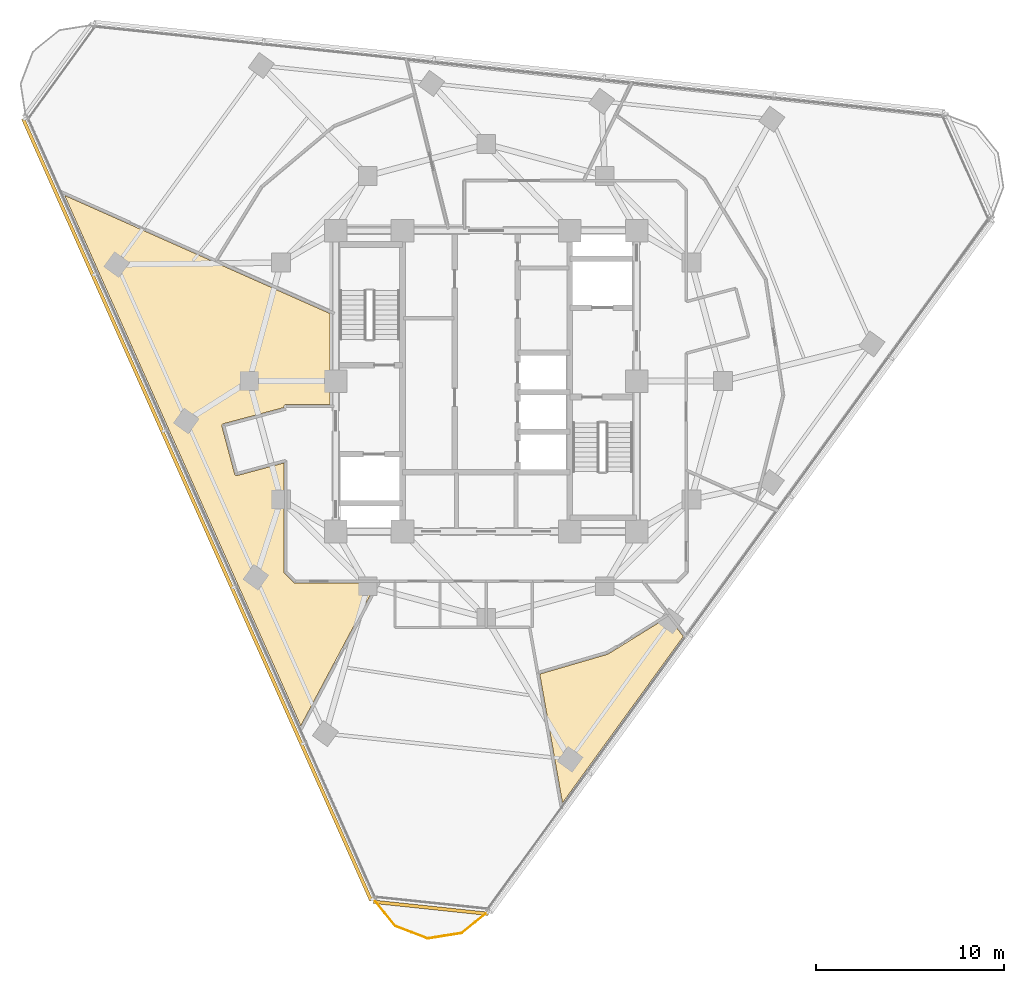
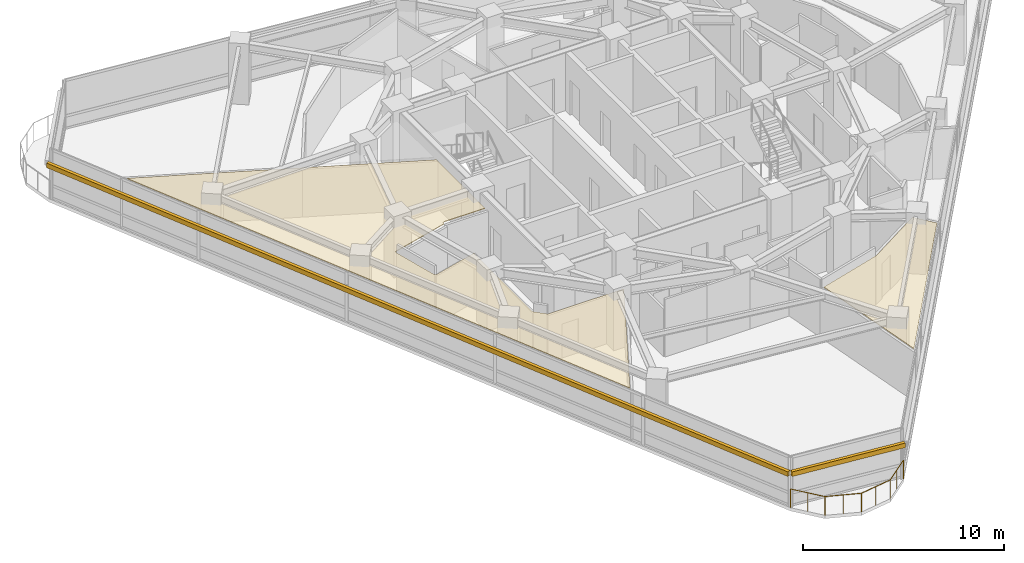
# One storey, part 12 of 15: 2 coverings, 2 shading devices, 1 railing.
"""IFC4 building model written with IfcOpenShell, lengths in metres."""

import ifcopenshell
import ifcopenshell.guid

model = None  # the IFC model being written
_history = None  # IfcOwnerHistory: only IFC2X3 demands one
_inside = {}  # id of a spatial element -> (the spatial element, [elements in it])
_under = {}  # id of a project, library or spatial element -> (it, [spatial elements below it])
_declared = {}  # id of a project -> (the project, [libraries it declares])
_typed = {}  # id of a type object -> (the type object, [elements of that type])
_made_of = {}  # id of a material, layer set ... -> (it, [elements and type objects made of it])


def new_model(schema):
    """Start an empty IFC model of exactly this schema.

    Asked for "IFC4X3", IfcOpenShell would pick the latest addendum, in which some entities
    have other attributes; the version numbers below select the first issue.
    IFC2X3 requires an IfcOwnerHistory on every rooted entity: one is made here for all.
    """
    global model, _history
    if schema == "IFC4X3":
        model = ifcopenshell.file(schema_version=(4, 3, 0, 0))
    else:
        model = ifcopenshell.file(schema=schema)
    _inside.clear()
    _under.clear()
    _declared.clear()
    _typed.clear()
    _made_of.clear()
    _history = None
    if model.schema == "IFC2X3":
        org = make("IfcOrganization", Name="unknown")
        user = make(
            "IfcPersonAndOrganization",
            ThePerson=make("IfcPerson", FamilyName="unknown"),
            TheOrganization=org,
        )
        app = make(
            "IfcApplication",
            ApplicationDeveloper=org,
            Version="unknown",
            ApplicationFullName="unknown",
            ApplicationIdentifier="unknown",
        )
        _history = make(
            "IfcOwnerHistory",
            OwningUser=user,
            OwningApplication=app,
            ChangeAction="ADDED",
            CreationDate=0,
        )
    return model


def make(cls, **values):
    """One entity of the class cls with the attributes given. An attribute that is None is left unset."""
    return model.create_entity(
        cls, **{name: value for name, value in values.items() if value is not None}
    )


def rooted(cls, **values):
    """An entity with a GlobalId (a new one), such as an element, a storey or a relation."""
    return make(cls, GlobalId=ifcopenshell.guid.new(), OwnerHistory=_history, **values)


def si_unit(unit_type, name, prefix=None):
    """IfcSIUnit, for example si_unit("LENGTHUNIT", "METRE", prefix="MILLI")."""
    return make("IfcSIUnit", UnitType=unit_type, Prefix=prefix, Name=name)


def assignment(units):
    """IfcUnitAssignment: the units of a project."""
    return None if units is None else make("IfcUnitAssignment", Units=units)


def point(xyz):
    """IfcCartesianPoint."""
    return None if xyz is None else make("IfcCartesianPoint", Coordinates=xyz)


def direction(xyz):
    """IfcDirection."""
    return None if xyz is None else make("IfcDirection", DirectionRatios=xyz)


def frame(location, z_axis=None, x_axis=None):
    """IfcAxis2Placement3D, a coordinate frame: its origin and axes. An axis left out is left unset."""
    return make(
        "IfcAxis2Placement3D",
        Location=point(location),
        Axis=direction(z_axis),
        RefDirection=direction(x_axis),
    )


def frame_2d(location, x_axis=None):
    """IfcAxis2Placement2D, a coordinate frame in the plane: its origin and x axis."""
    return make(
        "IfcAxis2Placement2D", Location=point(location), RefDirection=direction(x_axis)
    )


def origin():
    """The frame at (0, 0, 0) with its axes left unset."""
    return frame((0.0, 0.0, 0.0))


def origin_2d():
    """The frame at (0, 0) in the plane with its x axis left unset."""
    return frame_2d((0.0, 0.0))


def place(relative_to, where):
    """IfcLocalPlacement: puts the frame where relative to a parent placement (None: the world)."""
    return make(
        "IfcLocalPlacement", PlacementRelTo=relative_to, RelativePlacement=where
    )


def context(
    kind, dimensions, precision=None, world=None, true_north=None, identifier=None
):
    """IfcGeometricRepresentationContext, for example the 3D "Model" context."""
    return make(
        "IfcGeometricRepresentationContext",
        ContextIdentifier=identifier,
        ContextType=kind,
        CoordinateSpaceDimension=dimensions,
        Precision=precision,
        WorldCoordinateSystem=world,
        TrueNorth=true_north,
    )


def subcontext(parent, identifier, kind, view, scale=None):
    """IfcGeometricRepresentationSubContext, for example "Body" below "Model"."""
    return make(
        "IfcGeometricRepresentationSubContext",
        ContextIdentifier=identifier,
        ContextType=kind,
        ParentContext=parent,
        TargetScale=scale,
        TargetView=view,
    )


def project(units=None, contexts=None):
    """IfcProject with its units and contexts."""
    return rooted(
        "IfcProject",
        Name="project",
        RepresentationContexts=contexts,
        UnitsInContext=assignment(units),
    )


def spatial(cls, under=None, at=None, **own):
    """A site, building, storey or space (cls), placed at a placement, below another one or the project."""
    s = rooted(cls, ObjectPlacement=at, **own)
    if under is not None:
        _under.setdefault(under.id(), (under, []))[1].append(s)
    return s


def polyline(points):
    """IfcPolyline through the points."""
    return make("IfcPolyline", Points=[point(p) for p in points])


def profile(cls, at=None, kind="AREA", **sizes):
    """A parametric profile (cls). Its sizes go by their IFC names, for example OverallWidth=200.0."""
    return make(cls, ProfileType=kind, Position=at, **sizes)


def rectangle(**sizes):
    """IfcRectangleProfileDef."""
    return profile("IfcRectangleProfileDef", **sizes)


def circle(**sizes):
    """IfcCircleProfileDef."""
    return profile("IfcCircleProfileDef", **sizes)


def outline(outer, holes=None, kind="AREA"):
    """IfcArbitraryClosedProfileDef: a profile drawn as a closed curve; with holes, ...WithVoids."""
    if holes is None:
        return make("IfcArbitraryClosedProfileDef", ProfileType=kind, OuterCurve=outer)
    return make(
        "IfcArbitraryProfileDefWithVoids",
        ProfileType=kind,
        OuterCurve=outer,
        InnerCurves=holes,
    )


def extrude(swept, where, along, depth):
    """IfcExtrudedAreaSolid: the profile swept, set in the frame where, extruded along a direction by depth."""
    return make(
        "IfcExtrudedAreaSolid",
        SweptArea=swept,
        Position=where,
        ExtrudedDirection=direction(along),
        Depth=depth,
    )


def shape(context_of_items, identifier, shape_type, items):
    """IfcShapeRepresentation: the items that make up one representation, for example the "Body"."""
    return make(
        "IfcShapeRepresentation",
        ContextOfItems=context_of_items,
        RepresentationIdentifier=identifier,
        RepresentationType=shape_type,
        Items=items,
    )


def material(Name=None, Category=None):
    """IfcMaterial."""
    return make("IfcMaterial", Name=Name, Category=Category)


def layer(
    of_material, thickness, ventilated=None, Name=None, Category=None, Priority=None
):
    """IfcMaterialLayer: one layer of a wall or slab, of a material (None: an air gap)."""
    return make(
        "IfcMaterialLayer",
        Material=of_material,
        LayerThickness=thickness,
        IsVentilated=ventilated,
        Name=Name,
        Category=Category,
        Priority=Priority,
    )


def layer_set(layers, Name=None):
    """IfcMaterialLayerSet."""
    return make("IfcMaterialLayerSet", MaterialLayers=layers, LayerSetName=Name)


def made_of(thing, what):
    """Note that an element or type object is made of a material, layer set ...; save() writes the relation."""
    if what is not None:
        _made_of.setdefault(what.id(), (what, []))[1].append(thing)
    return thing


def type_object(cls, material=None, **own):
    """A type object (cls), such as IfcWallType, which elements share."""
    return made_of(rooted(cls, **own), material)


def element(
    cls,
    number,
    at=None,
    inside=None,
    cuts=None,
    type_object=None,
    material=None,
    context=None,
    identifier="Body",
    shape_type=None,
    held_by="IfcProductDefinitionShape",
    body=None,
    shapes=None,
    **own,
):
    """One element of the class cls, such as IfcWall. Its Tag is "e" and its number.

    at: its placement. inside: the storey or other place that contains it. cuts: it is an
    opening in that element (IfcRelVoidsElement). A single representation is given by context,
    identifier, shape_type and body (its items); several are given by shapes. held_by: the class
    of the entity that holds the representations. save() writes the other relations.
    """
    e = rooted(cls, Tag="e%d" % number, ObjectPlacement=at, **own)
    if body is not None:
        shapes = [shape(context, identifier, shape_type, body)]
    if shapes is not None:
        e.Representation = make(held_by, Representations=shapes)
    if inside is not None:
        _inside.setdefault(inside.id(), (inside, []))[1].append(e)
    if cuts is not None:
        rooted(
            "IfcRelVoidsElement", RelatingBuildingElement=cuts, RelatedOpeningElement=e
        )
    if type_object is not None:
        _typed.setdefault(type_object.id(), (type_object, []))[1].append(e)
    return made_of(e, material)


def aggregate(whole, parts):
    """IfcRelAggregates: a whole, such as a stair, and the parts it consists of."""
    return rooted("IfcRelAggregates", RelatingObject=whole, RelatedObjects=parts)


def save(model, path):
    """Write the relations noted so far, then the file.

    IfcRelAggregates (storeys below a building ...), IfcRelContainedInSpatialStructure (elements
    in a storey), IfcRelDefinesByType, IfcRelAssociatesMaterial and IfcRelDeclares: one each for
    every whole, place, type object, material and project.
    """
    for whole, parts in _under.values():
        aggregate(whole, parts)
    for where, things in _inside.values():
        rooted(
            "IfcRelContainedInSpatialStructure",
            RelatedElements=things,
            RelatingStructure=where,
        )
    for kind, things in _typed.values():
        rooted("IfcRelDefinesByType", RelatedObjects=things, RelatingType=kind)
    for what, things in _made_of.values():
        rooted("IfcRelAssociatesMaterial", RelatedObjects=things, RelatingMaterial=what)
    for by, libraries in _declared.values():
        rooted("IfcRelDeclares", RelatingContext=by, RelatedDefinitions=libraries)
    model.write(path)


model = new_model("IFC4")

# Units and contexts
model_context = context("Model", 3, precision=1e-05, world=origin(), true_north=direction((0.0, 1.0)))
body_context = subcontext(model_context, "Body", "Model", "MODEL_VIEW")
ifc_project = project(units=[si_unit("LENGTHUNIT", "METRE"), si_unit("AREAUNIT", "SQUARE_METRE"), si_unit("VOLUMEUNIT", "CUBIC_METRE"), si_unit("PLANEANGLEUNIT", "RADIAN"), si_unit("MASSUNIT", "GRAM", prefix="KILO")], contexts=[model_context])

# Site, building, storey
site_placement = place(None, origin())
site = spatial("IfcSite", under=ifc_project, at=site_placement, CompositionType="ELEMENT")
building_placement = place(site_placement, origin())
building = spatial("IfcBuilding", under=site, at=building_placement, Name="Terralouvre Media Tower", CompositionType="ELEMENT")
storey_placement = place(building_placement, frame((0.0, 0.0, 237.39990234375)))
storey = spatial("IfcBuildingStorey", under=building, at=storey_placement, Name="L61", CompositionType="ELEMENT", Elevation=237.39990234375)

# Coverings
ifc_material_1 = material(Name="Perforated aluminium acoustic ceiling baffle", Category="aluminium")
ifc_layer_1 = layer(ifc_material_1, 0.0400390625, Name="Perforated Acoustic Metal Tile Ceiling CL-AC1")
ifc_layer_set_1 = layer_set([ifc_layer_1], Name="Perforated aluminium acoustic ceiling baffle")
covering_type = type_object("IfcCoveringType", Name="Perforated Acoustic Metal Tile Ceiling CL-AC1", PredefinedType="CEILING", material=ifc_layer_set_1)
covering_1_placement = place(storey_placement, frame((0.0, 0.0, 2.97998046875), z_axis=(0.0, 0.0, 1.0), x_axis=(0.587785252292, 0.809016994375, 0.0)))
element("IfcCovering", 1, at=covering_1_placement, inside=storey, type_object=covering_type, Name="L61 Journalist Quiet Study 1 Acoustic Ceiling", PredefinedType="CEILING", context=body_context, shape_type="SweptSolid", body=[
    extrude(outline(polyline([(-14.662841796875, 1.892822265625), (-14.668212890625, 1.901123046875), (-14.6728515625, 1.90966796875), (-14.676513671875, 1.918701171875), (-14.67919921875, 1.92822265625), (-14.68115234375, 1.93798828125), (-14.681884765625, 1.94775390625), (-14.681884765625, 1.95751953125), (-14.680908203125, 1.96728515625), (-14.570068359375, 2.665771484375), (-14.568115234375, 2.67529296875), (-14.565185546875, 2.6845703125), (-14.561279296875, 2.693603515625), (-14.556640625, 2.7021484375), (-14.55126953125, 2.71044921875), (-14.544921875, 2.718017578125), (-14.537841796875, 2.724853515625), (-14.5302734375, 2.73095703125), (-9.84228515625, 6.136962890625), (-11.8544921875, 7.766357421875), (-11.862060546875, 7.77294921875), (-11.86865234375, 7.7802734375), (-11.87451171875, 7.7880859375), (-11.879638671875, 7.79638671875), (-11.8837890625, 7.80517578125), (-11.88720703125, 7.814453125), (-11.8896484375, 7.823974609375), (-11.89111328125, 7.833740234375), (-11.8916015625, 7.843505859375), (-11.891357421875, 7.853271484375), (-11.889892578125, 7.863037109375), (-11.8876953125, 7.87255859375), (-11.88427734375, 7.8818359375), (-11.880126953125, 7.890625), (-11.875244140625, 7.899169921875), (-11.869384765625, 7.9072265625), (-10.200927734375, 9.966064453125), (-10.1943359375, 9.973388671875), (-10.187255859375, 9.97998046875), (-10.17919921875, 9.98583984375), (-10.1708984375, 9.990966796875), (-10.162109375, 9.9951171875), (-10.15283203125, 9.99853515625), (-10.143310546875, 10.0009765625), (-10.1337890625, 10.00244140625), (-10.123779296875, 10.003173828125), (-10.114013671875, 10.002685546875), (-10.104248046875, 10.001220703125), (-10.094970703125, 9.9990234375), (-10.08544921875, 9.99560546875), (-10.07666015625, 9.991455078125), (-10.068115234375, 9.986572265625), (-10.060302734375, 9.980712890625), (-7.45556640625, 7.870849609375), (-7.410888671875, 7.9033203125), (-7.402587890625, 7.90869140625), (-7.39404296875, 7.913330078125), (-7.384765625, 7.9169921875), (-7.37548828125, 7.919677734375), (-7.36572265625, 7.921630859375), (-7.35595703125, 7.92236328125), (-7.34619140625, 7.92236328125), (-7.33642578125, 7.92138671875), (-7.326904296875, 7.919189453125), (-7.317626953125, 7.916259765625), (-7.308349609375, 7.912353515625), (-7.2998046875, 7.90771484375), (-7.291748046875, 7.90234375), (-7.2841796875, 7.89599609375), (-7.27734375, 7.888916015625), (-7.271240234375, 7.88134765625), (-5.895751953125, 5.98828125), (-1.97998046875, 8.833251953125), (-3.36962890625, 15.374267578125), (-5.1904296875, 23.938720703125), (-20.626953125, -2.797607421875), (-12.123291015625, -1.6025390625), (-14.662841796875, 1.892822265625)])), origin(), (0.0, 0.0, 1.0), 0.0400390625),
])
covering_2_placement = place(storey_placement, frame((0.0, 0.0, 2.97998046875), z_axis=(0.0, 0.0, 1.0), x_axis=(0.587785252292, 0.809016994375, 0.0)))
element("IfcCovering", 2, at=covering_2_placement, inside=storey, type_object=covering_type, Name="L61 Investigative Desk Open Office 4 Acoustic Ceiling", PredefinedType="CEILING", context=body_context, shape_type="SweptSolid", body=[
    extrude(outline(polyline([(-7.93798828125, -13.775390625), (-7.9462890625, -13.771484375), (-7.9541015625, -13.76708984375), (-7.96142578125, -13.761962890625), (-10.9306640625, -11.463134765625), (-15.7607421875, -16.465087890625), (-4.8251953125, -16.46435546875), (-4.46240234375, -15.19775390625), (-7.93798828125, -13.775390625)])), origin(), (0.0, 0.0, 1.0), 0.0400390625),
])

# Railing
ifc_material_2 = material(Name="Stainless steel 316 handrail and balustrade", Category="steel")
ifc_layer_2 = layer(ifc_material_2, 0.06005859375, Name="Roof Edge Safety Guardrail GR-ROOF1")
ifc_layer_set_2 = layer_set([ifc_layer_2], Name="Stainless steel 316 handrail and balustrade")
railing_type = type_object("IfcRailingType", Name="Roof Edge Safety Guardrail GR-ROOF1", PredefinedType="GUARDRAIL", material=ifc_layer_set_2)
railing_placement = place(storey_placement, frame((-5.98583984375, -27.5546875, 0.0)))
element("IfcRailing", 3, at=railing_placement, inside=storey, type_object=railing_type, Name="L61 Wind-Corner Perimeter Safety Guardrail C0", PredefinedType="GUARDRAIL", context=body_context, shape_type="SweptSolid", body=[
    extrude(circle(Radius=0.02099609375, at=origin_2d()), frame((0.0, 0.0, 1.12890625), z_axis=(0.629125588714, -0.777303668861, 0.0), x_axis=(0.777303668861, 0.629125588714, 0.0)), (0.0, 0.0, 1.0), 1.837158203125),
    extrude(circle(Radius=0.02099609375, at=origin_2d()), frame((1.15576171875, -1.427978515625, 1.12890625), z_axis=(0.933530480619, -0.358498035915, 0.0), x_axis=(0.358498035915, 0.933530480619, 0.0)), (0.0, 0.0, 1.0), 1.836669921875),
    extrude(circle(Radius=0.02099609375, at=origin_2d()), frame((2.870361328125, -2.08642578125, 1.12890625), z_axis=(0.987666866591, 0.156569986387, 0.0), x_axis=(-0.156569986387, 0.987666866591, 0.0)), (0.0, 0.0, 1.0), 1.8369140625),
    extrude(circle(Radius=0.02099609375, at=origin_2d()), frame((4.6845703125, -1.798828125, 1.12890625), z_axis=(0.777015769995, 0.629481130122, 0.0), x_axis=(-0.629481130122, 0.777015769995, 0.0)), (0.0, 0.0, 1.0), 1.8369140625),
    extrude(circle(Radius=0.01904296875, at=origin_2d()), origin(), (0.0, 0.0, 1.0), 1.10791015625),
    extrude(circle(Radius=0.01904296875, at=origin_2d()), frame((0.577880859375, -0.7138671875, 0.0)), (0.0, 0.0, 1.0), 1.10791015625),
    extrude(circle(Radius=0.01904296875, at=origin_2d()), frame((1.15576171875, -1.427978515625, 0.0)), (0.0, 0.0, 1.0), 1.10791015625),
    extrude(circle(Radius=0.01904296875, at=origin_2d()), frame((2.01318359375, -1.75732421875, 0.0)), (0.0, 0.0, 1.0), 1.10791015625),
    extrude(circle(Radius=0.01904296875, at=origin_2d()), frame((2.870361328125, -2.08642578125, 0.0)), (0.0, 0.0, 1.0), 1.10791015625),
    extrude(circle(Radius=0.01904296875, at=origin_2d()), frame((3.77734375, -1.942626953125, 0.0)), (0.0, 0.0, 1.0), 1.10791015625),
    extrude(circle(Radius=0.01904296875, at=origin_2d()), frame((4.6845703125, -1.798828125, 0.0)), (0.0, 0.0, 1.0), 1.10791015625),
    extrude(circle(Radius=0.01904296875, at=origin_2d()), frame((5.398193359375, -1.220703125, 0.0)), (0.0, 0.0, 1.0), 1.10791015625),
    extrude(circle(Radius=0.01904296875, at=origin_2d()), frame((6.11181640625, -0.642578125, 0.0)), (0.0, 0.0, 1.0), 1.10791015625),
])

# Shading devices
ifc_material_3 = material(Name="Extruded terracotta baguette sunshade louvres", Category="masonry")
shading_device_type = type_object("IfcShadingDeviceType", Name="Terracotta Baguette Sunshade Louvre Screen TB-LV1", PredefinedType="USERDEFINED", material=ifc_material_3)
shading_device_1_placement = place(storey_placement, frame((-15.3701171875, -6.84326171875, 2.02392578125), z_axis=(0.0, 0.0, 1.0), x_axis=(0.406736679636, -0.913545441365, 0.0)))
element("IfcShadingDevice", 4, at=shading_device_1_placement, inside=storey, type_object=shading_device_type, Name="CW-L61-F2 Terracotta Baguette Sunshade Louvre", ObjectType="BAGUETTE", PredefinedType="USERDEFINED", context=body_context, shape_type="SweptSolid", body=[
    extrude(rectangle(XDim=45.5, YDim=0.179931640625, at=origin_2d()), origin(), (0.0, 0.0, 1.0), 0.280029296875),
])
shading_device_2_placement = place(storey_placement, frame((-2.944091796875, -28.01025390625, 2.02392578125), z_axis=(0.0, 0.0, 1.0), x_axis=(0.994521944551, -0.104527995322, 0.0)))
element("IfcShadingDevice", 5, at=shading_device_2_placement, inside=storey, type_object=shading_device_type, Name="CW-L61-C0 Terracotta Baguette Sunshade Louvre", ObjectType="BAGUETTE", PredefinedType="USERDEFINED", context=body_context, shape_type="SweptSolid", body=[
    extrude(rectangle(XDim=6.148681640625, YDim=0.179931640625, at=origin_2d()), origin(), (0.0, 0.0, 1.0), 0.280029296875),
])

save(model, "model.ifc")
